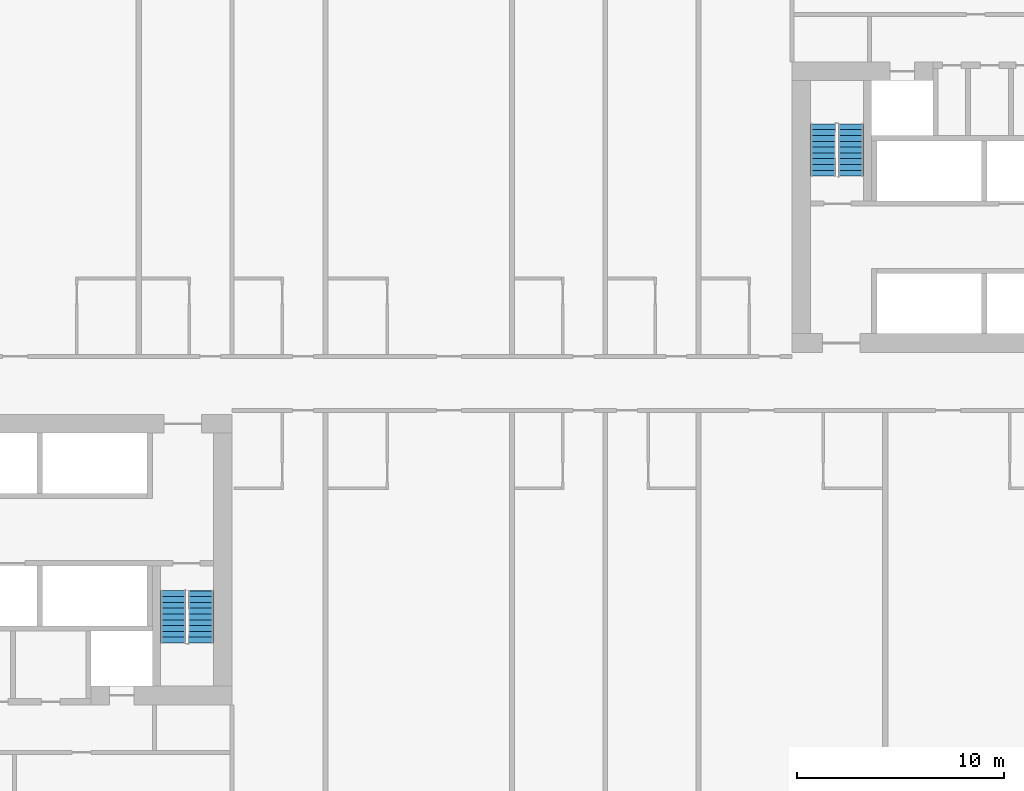
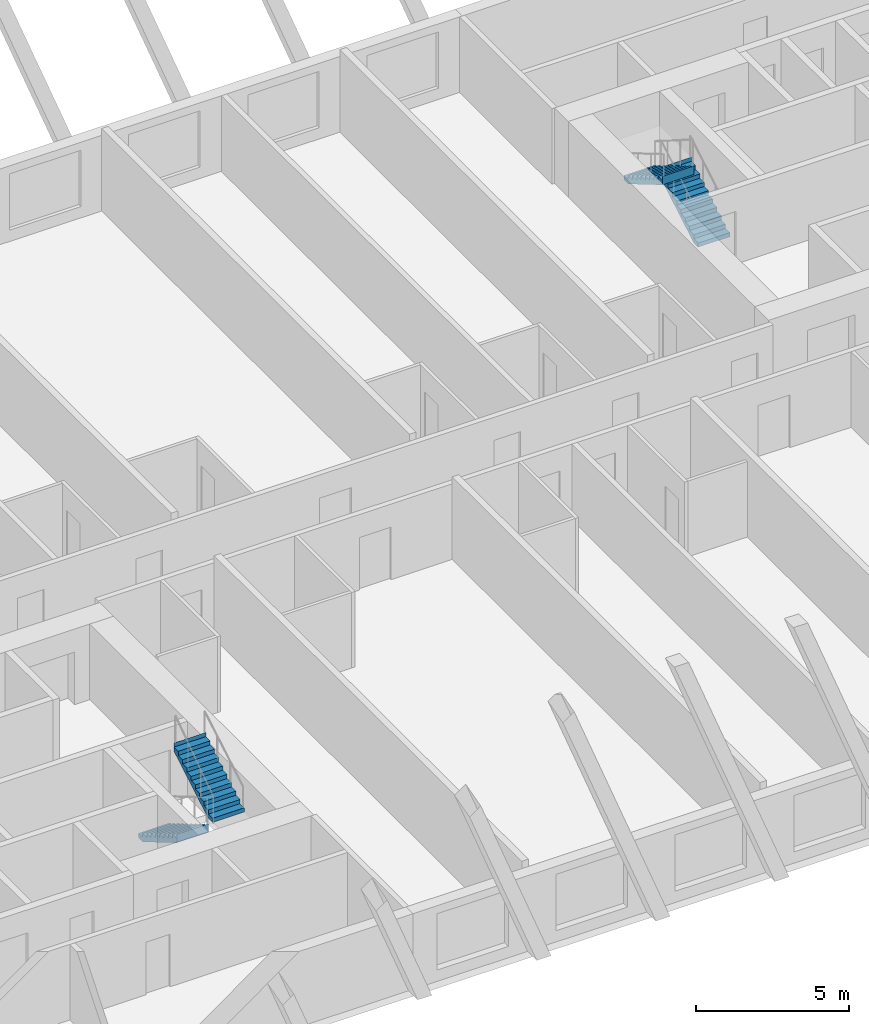
# One storey, part 10 of 13: 4 stair flights, 2 elements without a shape of their own.
"""IFC4 building model written with IfcOpenShell, lengths in metres."""

import ifcopenshell
import ifcopenshell.guid

model = None  # the IFC model being written
_history = None  # IfcOwnerHistory: only IFC2X3 demands one
_inside = {}  # id of a spatial element -> (the spatial element, [elements in it])
_under = {}  # id of a project, library or spatial element -> (it, [spatial elements below it])
_declared = {}  # id of a project -> (the project, [libraries it declares])
_typed = {}  # id of a type object -> (the type object, [elements of that type])
_made_of = {}  # id of a material, layer set ... -> (it, [elements and type objects made of it])


def new_model(schema):
    """Start an empty IFC model of exactly this schema.

    Asked for "IFC4X3", IfcOpenShell would pick the latest addendum, in which some entities
    have other attributes; the version numbers below select the first issue.
    IFC2X3 requires an IfcOwnerHistory on every rooted entity: one is made here for all.
    """
    global model, _history
    if schema == "IFC4X3":
        model = ifcopenshell.file(schema_version=(4, 3, 0, 0))
    else:
        model = ifcopenshell.file(schema=schema)
    _inside.clear()
    _under.clear()
    _declared.clear()
    _typed.clear()
    _made_of.clear()
    _history = None
    if model.schema == "IFC2X3":
        org = make("IfcOrganization", Name="unknown")
        user = make(
            "IfcPersonAndOrganization",
            ThePerson=make("IfcPerson", FamilyName="unknown"),
            TheOrganization=org,
        )
        app = make(
            "IfcApplication",
            ApplicationDeveloper=org,
            Version="unknown",
            ApplicationFullName="unknown",
            ApplicationIdentifier="unknown",
        )
        _history = make(
            "IfcOwnerHistory",
            OwningUser=user,
            OwningApplication=app,
            ChangeAction="ADDED",
            CreationDate=0,
        )
    return model


def make(cls, **values):
    """One entity of the class cls with the attributes given. An attribute that is None is left unset."""
    return model.create_entity(
        cls, **{name: value for name, value in values.items() if value is not None}
    )


def rooted(cls, **values):
    """An entity with a GlobalId (a new one), such as an element, a storey or a relation."""
    return make(cls, GlobalId=ifcopenshell.guid.new(), OwnerHistory=_history, **values)


def si_unit(unit_type, name, prefix=None):
    """IfcSIUnit, for example si_unit("LENGTHUNIT", "METRE", prefix="MILLI")."""
    return make("IfcSIUnit", UnitType=unit_type, Prefix=prefix, Name=name)


def assignment(units):
    """IfcUnitAssignment: the units of a project."""
    return None if units is None else make("IfcUnitAssignment", Units=units)


def point(xyz):
    """IfcCartesianPoint."""
    return None if xyz is None else make("IfcCartesianPoint", Coordinates=xyz)


def direction(xyz):
    """IfcDirection."""
    return None if xyz is None else make("IfcDirection", DirectionRatios=xyz)


def frame(location, z_axis=None, x_axis=None):
    """IfcAxis2Placement3D, a coordinate frame: its origin and axes. An axis left out is left unset."""
    return make(
        "IfcAxis2Placement3D",
        Location=point(location),
        Axis=direction(z_axis),
        RefDirection=direction(x_axis),
    )


def origin():
    """The frame at (0, 0, 0) with its axes left unset."""
    return frame((0.0, 0.0, 0.0))


def place(relative_to, where):
    """IfcLocalPlacement: puts the frame where relative to a parent placement (None: the world)."""
    return make(
        "IfcLocalPlacement", PlacementRelTo=relative_to, RelativePlacement=where
    )


def context(
    kind, dimensions, precision=None, world=None, true_north=None, identifier=None
):
    """IfcGeometricRepresentationContext, for example the 3D "Model" context."""
    return make(
        "IfcGeometricRepresentationContext",
        ContextIdentifier=identifier,
        ContextType=kind,
        CoordinateSpaceDimension=dimensions,
        Precision=precision,
        WorldCoordinateSystem=world,
        TrueNorth=true_north,
    )


def subcontext(parent, identifier, kind, view, scale=None):
    """IfcGeometricRepresentationSubContext, for example "Body" below "Model"."""
    return make(
        "IfcGeometricRepresentationSubContext",
        ContextIdentifier=identifier,
        ContextType=kind,
        ParentContext=parent,
        TargetScale=scale,
        TargetView=view,
    )


def project(units=None, contexts=None):
    """IfcProject with its units and contexts."""
    return rooted(
        "IfcProject",
        Name="project",
        RepresentationContexts=contexts,
        UnitsInContext=assignment(units),
    )


def spatial(cls, under=None, at=None, **own):
    """A site, building, storey or space (cls), placed at a placement, below another one or the project."""
    s = rooted(cls, ObjectPlacement=at, **own)
    if under is not None:
        _under.setdefault(under.id(), (under, []))[1].append(s)
    return s


def faces_of(points, faces, orient=None, outer=None):
    """IfcFace entities. A face is a list of loops; a loop is a list of indices into points, from 0.

    orient and outer hold one flag for each loop. By default every Orientation is true, the
    first loop of a face is its IfcFaceOuterBound and the others are IfcFaceBound.
    """
    made = []
    for i, loops in enumerate(faces):
        bounds = []
        for j, loop in enumerate(loops):
            is_outer = j == 0 if outer is None else outer[i][j]
            bounds.append(
                make(
                    "IfcFaceOuterBound" if is_outer else "IfcFaceBound",
                    Bound=make("IfcPolyLoop", Polygon=[points[k] for k in loop]),
                    Orientation=True if orient is None else orient[i][j],
                )
            )
        made.append(make("IfcFace", Bounds=bounds))
    return made


def faceted_brep(points, faces, orient=None, outer=None, voids=None):
    """IfcFacetedBrep: a solid bounded by flat faces; with voids (closed shells), ...WithVoids."""
    shared = [point(p) for p in points]
    hull = make("IfcClosedShell", CfsFaces=faces_of(shared, faces, orient, outer))
    if voids is None:
        return make("IfcFacetedBrep", Outer=hull)
    return make(
        "IfcFacetedBrepWithVoids",
        Outer=hull,
        Voids=[
            make(cls, CfsFaces=faces_of(shared, fs, o, b)) for cls, fs, o, b in voids
        ],
    )


def shape(context_of_items, identifier, shape_type, items):
    """IfcShapeRepresentation: the items that make up one representation, for example the "Body"."""
    return make(
        "IfcShapeRepresentation",
        ContextOfItems=context_of_items,
        RepresentationIdentifier=identifier,
        RepresentationType=shape_type,
        Items=items,
    )


def material(Name=None, Category=None):
    """IfcMaterial."""
    return make("IfcMaterial", Name=Name, Category=Category)


def made_of(thing, what):
    """Note that an element or type object is made of a material, layer set ...; save() writes the relation."""
    if what is not None:
        _made_of.setdefault(what.id(), (what, []))[1].append(thing)
    return thing


def type_object(cls, material=None, **own):
    """A type object (cls), such as IfcWallType, which elements share."""
    return made_of(rooted(cls, **own), material)


def element(
    cls,
    number,
    at=None,
    inside=None,
    cuts=None,
    type_object=None,
    material=None,
    context=None,
    identifier="Body",
    shape_type=None,
    held_by="IfcProductDefinitionShape",
    body=None,
    shapes=None,
    **own,
):
    """One element of the class cls, such as IfcWall. Its Tag is "e" and its number.

    at: its placement. inside: the storey or other place that contains it. cuts: it is an
    opening in that element (IfcRelVoidsElement). A single representation is given by context,
    identifier, shape_type and body (its items); several are given by shapes. held_by: the class
    of the entity that holds the representations. save() writes the other relations.
    """
    e = rooted(cls, Tag="e%d" % number, ObjectPlacement=at, **own)
    if body is not None:
        shapes = [shape(context, identifier, shape_type, body)]
    if shapes is not None:
        e.Representation = make(held_by, Representations=shapes)
    if inside is not None:
        _inside.setdefault(inside.id(), (inside, []))[1].append(e)
    if cuts is not None:
        rooted(
            "IfcRelVoidsElement", RelatingBuildingElement=cuts, RelatedOpeningElement=e
        )
    if type_object is not None:
        _typed.setdefault(type_object.id(), (type_object, []))[1].append(e)
    return made_of(e, material)


def aggregate(whole, parts):
    """IfcRelAggregates: a whole, such as a stair, and the parts it consists of."""
    return rooted("IfcRelAggregates", RelatingObject=whole, RelatedObjects=parts)


def save(model, path):
    """Write the relations noted so far, then the file.

    IfcRelAggregates (storeys below a building ...), IfcRelContainedInSpatialStructure (elements
    in a storey), IfcRelDefinesByType, IfcRelAssociatesMaterial and IfcRelDeclares: one each for
    every whole, place, type object, material and project.
    """
    for whole, parts in _under.values():
        aggregate(whole, parts)
    for where, things in _inside.values():
        rooted(
            "IfcRelContainedInSpatialStructure",
            RelatedElements=things,
            RelatingStructure=where,
        )
    for kind, things in _typed.values():
        rooted("IfcRelDefinesByType", RelatedObjects=things, RelatingType=kind)
    for what, things in _made_of.values():
        rooted("IfcRelAssociatesMaterial", RelatedObjects=things, RelatingMaterial=what)
    for by, libraries in _declared.values():
        rooted("IfcRelDeclares", RelatingContext=by, RelatedDefinitions=libraries)
    model.write(path)


model = new_model("IFC4")

# Units and contexts
model_context = context("Model", 3, precision=1e-05, world=origin(), true_north=direction((0.0, 1.0)))
body_context = subcontext(model_context, "Body", "Model", "MODEL_VIEW")
ifc_project = project(units=[si_unit("LENGTHUNIT", "METRE"), si_unit("AREAUNIT", "SQUARE_METRE"), si_unit("VOLUMEUNIT", "CUBIC_METRE"), si_unit("PLANEANGLEUNIT", "RADIAN"), si_unit("MASSUNIT", "GRAM", prefix="KILO")], contexts=[model_context])

# Site, building, storey
site_placement = place(None, origin())
site = spatial("IfcSite", under=ifc_project, at=site_placement, CompositionType="ELEMENT")
building_placement = place(site_placement, origin())
building = spatial("IfcBuilding", under=site, at=building_placement, Name="Kajstack Hotel Tower", CompositionType="ELEMENT")
storey_placement = place(building_placement, frame((0.0, 0.0, 60.0)))
storey = spatial("IfcBuildingStorey", under=building, at=storey_placement, Name="L09", CompositionType="ELEMENT", Elevation=60.0)

# Stair, stair flights
ifc_material = material(Name="Concrete C40/50", Category="concrete")
stair_type = type_object("IfcStairType", Name="Exit stair 1200", PredefinedType="HALF_TURN_STAIR", material=ifc_material)
stair_1_placement = place(storey_placement, origin())
stair_1 = element("IfcStair", 1, at=stair_1_placement, inside=storey, type_object=stair_type, Name="L09 stair W2", PredefinedType="HALF_TURN_STAIR")
stair_flight_type = type_object("IfcStairFlightType", Name="Exit stair flight 1200", PredefinedType="STRAIGHT", material=ifc_material)
stair_flight_1_placement = place(storey_placement, frame((-16.35009765625, -10.0, 0.0), z_axis=(0.0, 0.0, 1.0), x_axis=(0.0, -1.0, 0.0)))
stair_flight_1 = element("IfcStairFlight", 2, at=stair_flight_1_placement, type_object=stair_flight_type, Name="W2 flight 1", NumberOfRisers=10, NumberOfTreads=9, PredefinedType="STRAIGHT", RiserHeight=0.165, TreadLength=0.28, context=body_context, shape_type="Brep", body=[
    faceted_brep([(0.295654296875, -0.60009765625, 0.0), (2.5205078125, -0.60009765625, 1.31103515625), (2.5205078125, -0.60009765625, 1.64990234375), (2.52001953125, -0.60009765625, 1.64990234375), (2.52001953125, -0.60009765625, 1.485107421875), (2.239990234375, -0.60009765625, 1.485107421875), (2.239990234375, -0.60009765625, 1.320068359375), (1.9599609375, -0.60009765625, 1.320068359375), (1.9599609375, -0.60009765625, 1.155029296875), (1.679931640625, -0.60009765625, 1.155029296875), (1.679931640625, -0.60009765625, 0.989990234375), (1.39990234375, -0.60009765625, 0.989990234375), (1.39990234375, -0.60009765625, 0.824951171875), (1.1201171875, -0.60009765625, 0.824951171875), (1.1201171875, -0.60009765625, 0.659912109375), (0.840087890625, -0.60009765625, 0.659912109375), (0.840087890625, -0.60009765625, 0.4951171875), (0.56005859375, -0.60009765625, 0.4951171875), (0.56005859375, -0.60009765625, 0.330078125), (0.280029296875, -0.60009765625, 0.330078125), (0.280029296875, -0.60009765625, 0.1650390625), (-0.00048828125, -0.60009765625, 0.1650390625), (-0.00048828125, -0.60009765625, 0.0), (-0.00048828125, 0.60009765625, 0.0), (-0.00048828125, 0.60009765625, 0.1650390625), (0.280029296875, 0.60009765625, 0.1650390625), (0.280029296875, 0.60009765625, 0.330078125), (0.56005859375, 0.60009765625, 0.330078125), (0.56005859375, 0.60009765625, 0.4951171875), (0.840087890625, 0.60009765625, 0.4951171875), (0.840087890625, 0.60009765625, 0.659912109375), (1.1201171875, 0.60009765625, 0.659912109375), (1.1201171875, 0.60009765625, 0.824951171875), (1.39990234375, 0.60009765625, 0.824951171875), (1.39990234375, 0.60009765625, 0.989990234375), (1.679931640625, 0.60009765625, 0.989990234375), (1.679931640625, 0.60009765625, 1.155029296875), (1.9599609375, 0.60009765625, 1.155029296875), (1.9599609375, 0.60009765625, 1.320068359375), (2.239990234375, 0.60009765625, 1.320068359375), (2.239990234375, 0.60009765625, 1.485107421875), (2.52001953125, 0.60009765625, 1.485107421875), (2.52001953125, 0.60009765625, 1.64990234375), (2.5205078125, 0.60009765625, 1.64990234375), (2.5205078125, 0.60009765625, 1.31103515625), (0.295654296875, 0.60009765625, 0.0), (-0.00048828125, -0.300048828125, 0.1650390625), (-0.00048828125, 0.0, 0.1650390625), (-0.00048828125, 0.300048828125, 0.1650390625), (-0.00048828125, 0.300048828125, 0.0), (-0.00048828125, 0.0, 0.0), (-0.00048828125, -0.300048828125, 0.0), (0.280029296875, -0.300048828125, 0.1650390625), (0.280029296875, 0.0, 0.1650390625), (0.280029296875, 0.300048828125, 0.1650390625), (0.280029296875, -0.300048828125, 0.330078125), (0.280029296875, 0.0, 0.330078125), (0.280029296875, 0.300048828125, 0.330078125), (0.56005859375, -0.300048828125, 0.330078125), (0.56005859375, 0.0, 0.330078125), (0.56005859375, 0.300048828125, 0.330078125), (0.56005859375, -0.300048828125, 0.4951171875), (0.56005859375, 0.0, 0.4951171875), (0.56005859375, 0.300048828125, 0.4951171875), (0.840087890625, -0.300048828125, 0.4951171875), (0.840087890625, 0.0, 0.4951171875), (0.840087890625, 0.300048828125, 0.4951171875), (0.840087890625, -0.300048828125, 0.659912109375), (0.840087890625, 0.0, 0.659912109375), (0.840087890625, 0.300048828125, 0.659912109375), (1.1201171875, -0.300048828125, 0.659912109375), (1.1201171875, 0.0, 0.659912109375), (1.1201171875, 0.300048828125, 0.659912109375), (1.1201171875, -0.300048828125, 0.824951171875), (1.1201171875, 0.0, 0.824951171875), (1.1201171875, 0.300048828125, 0.824951171875), (1.39990234375, -0.300048828125, 0.824951171875), (1.39990234375, 0.0, 0.824951171875), (1.39990234375, 0.300048828125, 0.824951171875), (1.39990234375, -0.300048828125, 0.989990234375), (1.39990234375, 0.0, 0.989990234375), (1.39990234375, 0.300048828125, 0.989990234375), (1.679931640625, -0.300048828125, 0.989990234375), (1.679931640625, 0.0, 0.989990234375), (1.679931640625, 0.300048828125, 0.989990234375), (1.679931640625, -0.300048828125, 1.155029296875), (1.679931640625, 0.0, 1.155029296875), (1.679931640625, 0.300048828125, 1.155029296875), (1.9599609375, -0.300048828125, 1.155029296875), (1.9599609375, 0.0, 1.155029296875), (1.9599609375, 0.300048828125, 1.155029296875), (1.9599609375, -0.300048828125, 1.320068359375), (1.9599609375, 0.0, 1.320068359375), (1.9599609375, 0.300048828125, 1.320068359375), (2.239990234375, -0.300048828125, 1.320068359375), (2.239990234375, 0.0, 1.320068359375), (2.239990234375, 0.300048828125, 1.320068359375), (2.239990234375, -0.300048828125, 1.485107421875), (2.239990234375, 0.0, 1.485107421875), (2.239990234375, 0.300048828125, 1.485107421875), (2.52001953125, -0.300048828125, 1.485107421875), (2.52001953125, 0.0, 1.485107421875), (2.52001953125, 0.300048828125, 1.485107421875), (2.52001953125, -0.300048828125, 1.64990234375), (2.52001953125, 0.0, 1.64990234375), (2.52001953125, 0.300048828125, 1.64990234375), (2.5205078125, -0.300048828125, 1.64990234375), (2.5205078125, 0.0, 1.64990234375), (2.5205078125, 0.300048828125, 1.64990234375), (2.5205078125, -0.300048828125, 1.31103515625), (2.5205078125, 0.0, 1.31103515625), (2.5205078125, 0.300048828125, 1.31103515625), (0.295654296875, -0.300048828125, 0.0), (0.295654296875, 0.0, 0.0), (0.295654296875, 0.300048828125, 0.0)], [[[0, 1, 2, 3, 4, 5, 6, 7, 8, 9, 10, 11, 12, 13, 14, 15, 16, 17, 18, 19, 20, 21, 22]], [[23, 24, 25, 26, 27, 28, 29, 30, 31, 32, 33, 34, 35, 36, 37, 38, 39, 40, 41, 42, 43, 44, 45]], [[21, 46, 47, 48, 24, 23, 49, 50, 51, 22]], [[20, 52, 53, 54, 25, 24, 48, 47, 46, 21]], [[19, 55, 56, 57, 26, 25, 54, 53, 52, 20]], [[18, 58, 59, 60, 27, 26, 57, 56, 55, 19]], [[17, 61, 62, 63, 28, 27, 60, 59, 58, 18]], [[16, 64, 65, 66, 29, 28, 63, 62, 61, 17]], [[15, 67, 68, 69, 30, 29, 66, 65, 64, 16]], [[14, 70, 71, 72, 31, 30, 69, 68, 67, 15]], [[13, 73, 74, 75, 32, 31, 72, 71, 70, 14]], [[12, 76, 77, 78, 33, 32, 75, 74, 73, 13]], [[11, 79, 80, 81, 34, 33, 78, 77, 76, 12]], [[10, 82, 83, 84, 35, 34, 81, 80, 79, 11]], [[9, 85, 86, 87, 36, 35, 84, 83, 82, 10]], [[8, 88, 89, 90, 37, 36, 87, 86, 85, 9]], [[7, 91, 92, 93, 38, 37, 90, 89, 88, 8]], [[6, 94, 95, 96, 39, 38, 93, 92, 91, 7]], [[5, 97, 98, 99, 40, 39, 96, 95, 94, 6]], [[4, 100, 101, 102, 41, 40, 99, 98, 97, 5]], [[3, 103, 104, 105, 42, 41, 102, 101, 100, 4]], [[2, 106, 107, 108, 43, 42, 105, 104, 103, 3]], [[1, 109, 110, 111, 44, 43, 108, 107, 106, 2]], [[0, 112, 113, 114, 45, 44, 111, 110, 109, 1]], [[22, 51, 50, 49, 23, 45, 114, 113, 112, 0]]]),
])
stair_flight_2_placement = place(storey_placement, frame((-15.0, -12.52001953125, 1.64990234375), z_axis=(0.0, 0.0, 1.0), x_axis=(0.0, 1.0, 0.0)))
stair_flight_2 = element("IfcStairFlight", 3, at=stair_flight_2_placement, type_object=stair_flight_type, Name="W2 flight 2", NumberOfRisers=10, NumberOfTreads=9, PredefinedType="STRAIGHT", RiserHeight=0.165, TreadLength=0.28, context=body_context, shape_type="Brep", body=[
    faceted_brep([(0.295654296875, -0.60009765625, 0.0), (2.5205078125, -0.60009765625, 1.31103515625), (2.5205078125, -0.60009765625, 1.64990234375), (2.52001953125, -0.60009765625, 1.64990234375), (2.52001953125, -0.60009765625, 1.485107421875), (2.239990234375, -0.60009765625, 1.485107421875), (2.239990234375, -0.60009765625, 1.320068359375), (1.9599609375, -0.60009765625, 1.320068359375), (1.9599609375, -0.60009765625, 1.155029296875), (1.679931640625, -0.60009765625, 1.155029296875), (1.679931640625, -0.60009765625, 0.989990234375), (1.39990234375, -0.60009765625, 0.989990234375), (1.39990234375, -0.60009765625, 0.824951171875), (1.1201171875, -0.60009765625, 0.824951171875), (1.1201171875, -0.60009765625, 0.659912109375), (0.840087890625, -0.60009765625, 0.659912109375), (0.840087890625, -0.60009765625, 0.4951171875), (0.56005859375, -0.60009765625, 0.4951171875), (0.56005859375, -0.60009765625, 0.330078125), (0.280029296875, -0.60009765625, 0.330078125), (0.280029296875, -0.60009765625, 0.1650390625), (-0.00048828125, -0.60009765625, 0.1650390625), (-0.00048828125, -0.60009765625, 0.0), (-0.00048828125, 0.60009765625, 0.0), (-0.00048828125, 0.60009765625, 0.1650390625), (0.280029296875, 0.60009765625, 0.1650390625), (0.280029296875, 0.60009765625, 0.330078125), (0.56005859375, 0.60009765625, 0.330078125), (0.56005859375, 0.60009765625, 0.4951171875), (0.840087890625, 0.60009765625, 0.4951171875), (0.840087890625, 0.60009765625, 0.659912109375), (1.1201171875, 0.60009765625, 0.659912109375), (1.1201171875, 0.60009765625, 0.824951171875), (1.39990234375, 0.60009765625, 0.824951171875), (1.39990234375, 0.60009765625, 0.989990234375), (1.679931640625, 0.60009765625, 0.989990234375), (1.679931640625, 0.60009765625, 1.155029296875), (1.9599609375, 0.60009765625, 1.155029296875), (1.9599609375, 0.60009765625, 1.320068359375), (2.239990234375, 0.60009765625, 1.320068359375), (2.239990234375, 0.60009765625, 1.485107421875), (2.52001953125, 0.60009765625, 1.485107421875), (2.52001953125, 0.60009765625, 1.64990234375), (2.5205078125, 0.60009765625, 1.64990234375), (2.5205078125, 0.60009765625, 1.31103515625), (0.295654296875, 0.60009765625, 0.0), (-0.00048828125, -0.300048828125, 0.1650390625), (-0.00048828125, 0.0, 0.1650390625), (-0.00048828125, 0.300048828125, 0.1650390625), (-0.00048828125, 0.300048828125, 0.0), (-0.00048828125, 0.0, 0.0), (-0.00048828125, -0.300048828125, 0.0), (0.280029296875, -0.300048828125, 0.1650390625), (0.280029296875, 0.0, 0.1650390625), (0.280029296875, 0.300048828125, 0.1650390625), (0.280029296875, -0.300048828125, 0.330078125), (0.280029296875, 0.0, 0.330078125), (0.280029296875, 0.300048828125, 0.330078125), (0.56005859375, -0.300048828125, 0.330078125), (0.56005859375, 0.0, 0.330078125), (0.56005859375, 0.300048828125, 0.330078125), (0.56005859375, -0.300048828125, 0.4951171875), (0.56005859375, 0.0, 0.4951171875), (0.56005859375, 0.300048828125, 0.4951171875), (0.840087890625, -0.300048828125, 0.4951171875), (0.840087890625, 0.0, 0.4951171875), (0.840087890625, 0.300048828125, 0.4951171875), (0.840087890625, -0.300048828125, 0.659912109375), (0.840087890625, 0.0, 0.659912109375), (0.840087890625, 0.300048828125, 0.659912109375), (1.1201171875, -0.300048828125, 0.659912109375), (1.1201171875, 0.0, 0.659912109375), (1.1201171875, 0.300048828125, 0.659912109375), (1.1201171875, -0.300048828125, 0.824951171875), (1.1201171875, 0.0, 0.824951171875), (1.1201171875, 0.300048828125, 0.824951171875), (1.39990234375, -0.300048828125, 0.824951171875), (1.39990234375, 0.0, 0.824951171875), (1.39990234375, 0.300048828125, 0.824951171875), (1.39990234375, -0.300048828125, 0.989990234375), (1.39990234375, 0.0, 0.989990234375), (1.39990234375, 0.300048828125, 0.989990234375), (1.679931640625, -0.300048828125, 0.989990234375), (1.679931640625, 0.0, 0.989990234375), (1.679931640625, 0.300048828125, 0.989990234375), (1.679931640625, -0.300048828125, 1.155029296875), (1.679931640625, 0.0, 1.155029296875), (1.679931640625, 0.300048828125, 1.155029296875), (1.9599609375, -0.300048828125, 1.155029296875), (1.9599609375, 0.0, 1.155029296875), (1.9599609375, 0.300048828125, 1.155029296875), (1.9599609375, -0.300048828125, 1.320068359375), (1.9599609375, 0.0, 1.320068359375), (1.9599609375, 0.300048828125, 1.320068359375), (2.239990234375, -0.300048828125, 1.320068359375), (2.239990234375, 0.0, 1.320068359375), (2.239990234375, 0.300048828125, 1.320068359375), (2.239990234375, -0.300048828125, 1.485107421875), (2.239990234375, 0.0, 1.485107421875), (2.239990234375, 0.300048828125, 1.485107421875), (2.52001953125, -0.300048828125, 1.485107421875), (2.52001953125, 0.0, 1.485107421875), (2.52001953125, 0.300048828125, 1.485107421875), (2.52001953125, -0.300048828125, 1.64990234375), (2.52001953125, 0.0, 1.64990234375), (2.52001953125, 0.300048828125, 1.64990234375), (2.5205078125, -0.300048828125, 1.64990234375), (2.5205078125, 0.0, 1.64990234375), (2.5205078125, 0.300048828125, 1.64990234375), (2.5205078125, -0.300048828125, 1.31103515625), (2.5205078125, 0.0, 1.31103515625), (2.5205078125, 0.300048828125, 1.31103515625), (0.295654296875, -0.300048828125, 0.0), (0.295654296875, 0.0, 0.0), (0.295654296875, 0.300048828125, 0.0)], [[[0, 1, 2, 3, 4, 5, 6, 7, 8, 9, 10, 11, 12, 13, 14, 15, 16, 17, 18, 19, 20, 21, 22]], [[23, 24, 25, 26, 27, 28, 29, 30, 31, 32, 33, 34, 35, 36, 37, 38, 39, 40, 41, 42, 43, 44, 45]], [[21, 46, 47, 48, 24, 23, 49, 50, 51, 22]], [[20, 52, 53, 54, 25, 24, 48, 47, 46, 21]], [[19, 55, 56, 57, 26, 25, 54, 53, 52, 20]], [[18, 58, 59, 60, 27, 26, 57, 56, 55, 19]], [[17, 61, 62, 63, 28, 27, 60, 59, 58, 18]], [[16, 64, 65, 66, 29, 28, 63, 62, 61, 17]], [[15, 67, 68, 69, 30, 29, 66, 65, 64, 16]], [[14, 70, 71, 72, 31, 30, 69, 68, 67, 15]], [[13, 73, 74, 75, 32, 31, 72, 71, 70, 14]], [[12, 76, 77, 78, 33, 32, 75, 74, 73, 13]], [[11, 79, 80, 81, 34, 33, 78, 77, 76, 12]], [[10, 82, 83, 84, 35, 34, 81, 80, 79, 11]], [[9, 85, 86, 87, 36, 35, 84, 83, 82, 10]], [[8, 88, 89, 90, 37, 36, 87, 86, 85, 9]], [[7, 91, 92, 93, 38, 37, 90, 89, 88, 8]], [[6, 94, 95, 96, 39, 38, 93, 92, 91, 7]], [[5, 97, 98, 99, 40, 39, 96, 95, 94, 6]], [[4, 100, 101, 102, 41, 40, 99, 98, 97, 5]], [[3, 103, 104, 105, 42, 41, 102, 101, 100, 4]], [[2, 106, 107, 108, 43, 42, 105, 104, 103, 3]], [[1, 109, 110, 111, 44, 43, 108, 107, 106, 2]], [[0, 112, 113, 114, 45, 44, 111, 110, 109, 1]], [[22, 51, 50, 49, 23, 45, 114, 113, 112, 0]]]),
])
aggregate(stair_1, [stair_flight_1, stair_flight_2])

stair_2_placement = place(storey_placement, origin())
stair_2 = element("IfcStair", 4, at=stair_2_placement, inside=storey, type_object=stair_type, Name="L09 stair E2", PredefinedType="HALF_TURN_STAIR")
stair_flight_3_placement = place(storey_placement, frame((16.35009765625, 10.0, 0.0), z_axis=(0.0, 0.0, 1.0), x_axis=(0.0, 1.0, 0.0)))
stair_flight_3 = element("IfcStairFlight", 5, at=stair_flight_3_placement, type_object=stair_flight_type, Name="E2 flight 1", NumberOfRisers=10, NumberOfTreads=9, PredefinedType="STRAIGHT", RiserHeight=0.165, TreadLength=0.28, context=body_context, shape_type="Brep", body=[
    faceted_brep([(0.295654296875, -0.60009765625, 0.0), (2.5205078125, -0.60009765625, 1.31103515625), (2.5205078125, -0.60009765625, 1.64990234375), (2.52001953125, -0.60009765625, 1.64990234375), (2.52001953125, -0.60009765625, 1.485107421875), (2.239990234375, -0.60009765625, 1.485107421875), (2.239990234375, -0.60009765625, 1.320068359375), (1.9599609375, -0.60009765625, 1.320068359375), (1.9599609375, -0.60009765625, 1.155029296875), (1.679931640625, -0.60009765625, 1.155029296875), (1.679931640625, -0.60009765625, 0.989990234375), (1.39990234375, -0.60009765625, 0.989990234375), (1.39990234375, -0.60009765625, 0.824951171875), (1.1201171875, -0.60009765625, 0.824951171875), (1.1201171875, -0.60009765625, 0.659912109375), (0.840087890625, -0.60009765625, 0.659912109375), (0.840087890625, -0.60009765625, 0.4951171875), (0.56005859375, -0.60009765625, 0.4951171875), (0.56005859375, -0.60009765625, 0.330078125), (0.280029296875, -0.60009765625, 0.330078125), (0.280029296875, -0.60009765625, 0.1650390625), (-0.00048828125, -0.60009765625, 0.1650390625), (-0.00048828125, -0.60009765625, 0.0), (-0.00048828125, 0.60009765625, 0.0), (-0.00048828125, 0.60009765625, 0.1650390625), (0.280029296875, 0.60009765625, 0.1650390625), (0.280029296875, 0.60009765625, 0.330078125), (0.56005859375, 0.60009765625, 0.330078125), (0.56005859375, 0.60009765625, 0.4951171875), (0.840087890625, 0.60009765625, 0.4951171875), (0.840087890625, 0.60009765625, 0.659912109375), (1.1201171875, 0.60009765625, 0.659912109375), (1.1201171875, 0.60009765625, 0.824951171875), (1.39990234375, 0.60009765625, 0.824951171875), (1.39990234375, 0.60009765625, 0.989990234375), (1.679931640625, 0.60009765625, 0.989990234375), (1.679931640625, 0.60009765625, 1.155029296875), (1.9599609375, 0.60009765625, 1.155029296875), (1.9599609375, 0.60009765625, 1.320068359375), (2.239990234375, 0.60009765625, 1.320068359375), (2.239990234375, 0.60009765625, 1.485107421875), (2.52001953125, 0.60009765625, 1.485107421875), (2.52001953125, 0.60009765625, 1.64990234375), (2.5205078125, 0.60009765625, 1.64990234375), (2.5205078125, 0.60009765625, 1.31103515625), (0.295654296875, 0.60009765625, 0.0), (-0.00048828125, -0.300048828125, 0.1650390625), (-0.00048828125, 0.0, 0.1650390625), (-0.00048828125, 0.300048828125, 0.1650390625), (-0.00048828125, 0.300048828125, 0.0), (-0.00048828125, 0.0, 0.0), (-0.00048828125, -0.300048828125, 0.0), (0.280029296875, -0.300048828125, 0.1650390625), (0.280029296875, 0.0, 0.1650390625), (0.280029296875, 0.300048828125, 0.1650390625), (0.280029296875, -0.300048828125, 0.330078125), (0.280029296875, 0.0, 0.330078125), (0.280029296875, 0.300048828125, 0.330078125), (0.56005859375, -0.300048828125, 0.330078125), (0.56005859375, 0.0, 0.330078125), (0.56005859375, 0.300048828125, 0.330078125), (0.56005859375, -0.300048828125, 0.4951171875), (0.56005859375, 0.0, 0.4951171875), (0.56005859375, 0.300048828125, 0.4951171875), (0.840087890625, -0.300048828125, 0.4951171875), (0.840087890625, 0.0, 0.4951171875), (0.840087890625, 0.300048828125, 0.4951171875), (0.840087890625, -0.300048828125, 0.659912109375), (0.840087890625, 0.0, 0.659912109375), (0.840087890625, 0.300048828125, 0.659912109375), (1.1201171875, -0.300048828125, 0.659912109375), (1.1201171875, 0.0, 0.659912109375), (1.1201171875, 0.300048828125, 0.659912109375), (1.1201171875, -0.300048828125, 0.824951171875), (1.1201171875, 0.0, 0.824951171875), (1.1201171875, 0.300048828125, 0.824951171875), (1.39990234375, -0.300048828125, 0.824951171875), (1.39990234375, 0.0, 0.824951171875), (1.39990234375, 0.300048828125, 0.824951171875), (1.39990234375, -0.300048828125, 0.989990234375), (1.39990234375, 0.0, 0.989990234375), (1.39990234375, 0.300048828125, 0.989990234375), (1.679931640625, -0.300048828125, 0.989990234375), (1.679931640625, 0.0, 0.989990234375), (1.679931640625, 0.300048828125, 0.989990234375), (1.679931640625, -0.300048828125, 1.155029296875), (1.679931640625, 0.0, 1.155029296875), (1.679931640625, 0.300048828125, 1.155029296875), (1.9599609375, -0.300048828125, 1.155029296875), (1.9599609375, 0.0, 1.155029296875), (1.9599609375, 0.300048828125, 1.155029296875), (1.9599609375, -0.300048828125, 1.320068359375), (1.9599609375, 0.0, 1.320068359375), (1.9599609375, 0.300048828125, 1.320068359375), (2.239990234375, -0.300048828125, 1.320068359375), (2.239990234375, 0.0, 1.320068359375), (2.239990234375, 0.300048828125, 1.320068359375), (2.239990234375, -0.300048828125, 1.485107421875), (2.239990234375, 0.0, 1.485107421875), (2.239990234375, 0.300048828125, 1.485107421875), (2.52001953125, -0.300048828125, 1.485107421875), (2.52001953125, 0.0, 1.485107421875), (2.52001953125, 0.300048828125, 1.485107421875), (2.52001953125, -0.300048828125, 1.64990234375), (2.52001953125, 0.0, 1.64990234375), (2.52001953125, 0.300048828125, 1.64990234375), (2.5205078125, -0.300048828125, 1.64990234375), (2.5205078125, 0.0, 1.64990234375), (2.5205078125, 0.300048828125, 1.64990234375), (2.5205078125, -0.300048828125, 1.31103515625), (2.5205078125, 0.0, 1.31103515625), (2.5205078125, 0.300048828125, 1.31103515625), (0.295654296875, -0.300048828125, 0.0), (0.295654296875, 0.0, 0.0), (0.295654296875, 0.300048828125, 0.0)], [[[0, 1, 2, 3, 4, 5, 6, 7, 8, 9, 10, 11, 12, 13, 14, 15, 16, 17, 18, 19, 20, 21, 22]], [[23, 24, 25, 26, 27, 28, 29, 30, 31, 32, 33, 34, 35, 36, 37, 38, 39, 40, 41, 42, 43, 44, 45]], [[21, 46, 47, 48, 24, 23, 49, 50, 51, 22]], [[20, 52, 53, 54, 25, 24, 48, 47, 46, 21]], [[19, 55, 56, 57, 26, 25, 54, 53, 52, 20]], [[18, 58, 59, 60, 27, 26, 57, 56, 55, 19]], [[17, 61, 62, 63, 28, 27, 60, 59, 58, 18]], [[16, 64, 65, 66, 29, 28, 63, 62, 61, 17]], [[15, 67, 68, 69, 30, 29, 66, 65, 64, 16]], [[14, 70, 71, 72, 31, 30, 69, 68, 67, 15]], [[13, 73, 74, 75, 32, 31, 72, 71, 70, 14]], [[12, 76, 77, 78, 33, 32, 75, 74, 73, 13]], [[11, 79, 80, 81, 34, 33, 78, 77, 76, 12]], [[10, 82, 83, 84, 35, 34, 81, 80, 79, 11]], [[9, 85, 86, 87, 36, 35, 84, 83, 82, 10]], [[8, 88, 89, 90, 37, 36, 87, 86, 85, 9]], [[7, 91, 92, 93, 38, 37, 90, 89, 88, 8]], [[6, 94, 95, 96, 39, 38, 93, 92, 91, 7]], [[5, 97, 98, 99, 40, 39, 96, 95, 94, 6]], [[4, 100, 101, 102, 41, 40, 99, 98, 97, 5]], [[3, 103, 104, 105, 42, 41, 102, 101, 100, 4]], [[2, 106, 107, 108, 43, 42, 105, 104, 103, 3]], [[1, 109, 110, 111, 44, 43, 108, 107, 106, 2]], [[0, 112, 113, 114, 45, 44, 111, 110, 109, 1]], [[22, 51, 50, 49, 23, 45, 114, 113, 112, 0]]]),
])
stair_flight_4_placement = place(storey_placement, frame((15.0, 12.52001953125, 1.64990234375), z_axis=(0.0, 0.0, 1.0), x_axis=(0.0, -1.0, 0.0)))
stair_flight_4 = element("IfcStairFlight", 6, at=stair_flight_4_placement, type_object=stair_flight_type, Name="E2 flight 2", NumberOfRisers=10, NumberOfTreads=9, PredefinedType="STRAIGHT", RiserHeight=0.165, TreadLength=0.28, context=body_context, shape_type="Brep", body=[
    faceted_brep([(0.295654296875, -0.60009765625, 0.0), (2.5205078125, -0.60009765625, 1.31103515625), (2.5205078125, -0.60009765625, 1.64990234375), (2.52001953125, -0.60009765625, 1.64990234375), (2.52001953125, -0.60009765625, 1.485107421875), (2.239990234375, -0.60009765625, 1.485107421875), (2.239990234375, -0.60009765625, 1.320068359375), (1.9599609375, -0.60009765625, 1.320068359375), (1.9599609375, -0.60009765625, 1.155029296875), (1.679931640625, -0.60009765625, 1.155029296875), (1.679931640625, -0.60009765625, 0.989990234375), (1.39990234375, -0.60009765625, 0.989990234375), (1.39990234375, -0.60009765625, 0.824951171875), (1.1201171875, -0.60009765625, 0.824951171875), (1.1201171875, -0.60009765625, 0.659912109375), (0.840087890625, -0.60009765625, 0.659912109375), (0.840087890625, -0.60009765625, 0.4951171875), (0.56005859375, -0.60009765625, 0.4951171875), (0.56005859375, -0.60009765625, 0.330078125), (0.280029296875, -0.60009765625, 0.330078125), (0.280029296875, -0.60009765625, 0.1650390625), (-0.00048828125, -0.60009765625, 0.1650390625), (-0.00048828125, -0.60009765625, 0.0), (-0.00048828125, 0.60009765625, 0.0), (-0.00048828125, 0.60009765625, 0.1650390625), (0.280029296875, 0.60009765625, 0.1650390625), (0.280029296875, 0.60009765625, 0.330078125), (0.56005859375, 0.60009765625, 0.330078125), (0.56005859375, 0.60009765625, 0.4951171875), (0.840087890625, 0.60009765625, 0.4951171875), (0.840087890625, 0.60009765625, 0.659912109375), (1.1201171875, 0.60009765625, 0.659912109375), (1.1201171875, 0.60009765625, 0.824951171875), (1.39990234375, 0.60009765625, 0.824951171875), (1.39990234375, 0.60009765625, 0.989990234375), (1.679931640625, 0.60009765625, 0.989990234375), (1.679931640625, 0.60009765625, 1.155029296875), (1.9599609375, 0.60009765625, 1.155029296875), (1.9599609375, 0.60009765625, 1.320068359375), (2.239990234375, 0.60009765625, 1.320068359375), (2.239990234375, 0.60009765625, 1.485107421875), (2.52001953125, 0.60009765625, 1.485107421875), (2.52001953125, 0.60009765625, 1.64990234375), (2.5205078125, 0.60009765625, 1.64990234375), (2.5205078125, 0.60009765625, 1.31103515625), (0.295654296875, 0.60009765625, 0.0), (-0.00048828125, -0.300048828125, 0.1650390625), (-0.00048828125, 0.0, 0.1650390625), (-0.00048828125, 0.300048828125, 0.1650390625), (-0.00048828125, 0.300048828125, 0.0), (-0.00048828125, 0.0, 0.0), (-0.00048828125, -0.300048828125, 0.0), (0.280029296875, -0.300048828125, 0.1650390625), (0.280029296875, 0.0, 0.1650390625), (0.280029296875, 0.300048828125, 0.1650390625), (0.280029296875, -0.300048828125, 0.330078125), (0.280029296875, 0.0, 0.330078125), (0.280029296875, 0.300048828125, 0.330078125), (0.56005859375, -0.300048828125, 0.330078125), (0.56005859375, 0.0, 0.330078125), (0.56005859375, 0.300048828125, 0.330078125), (0.56005859375, -0.300048828125, 0.4951171875), (0.56005859375, 0.0, 0.4951171875), (0.56005859375, 0.300048828125, 0.4951171875), (0.840087890625, -0.300048828125, 0.4951171875), (0.840087890625, 0.0, 0.4951171875), (0.840087890625, 0.300048828125, 0.4951171875), (0.840087890625, -0.300048828125, 0.659912109375), (0.840087890625, 0.0, 0.659912109375), (0.840087890625, 0.300048828125, 0.659912109375), (1.1201171875, -0.300048828125, 0.659912109375), (1.1201171875, 0.0, 0.659912109375), (1.1201171875, 0.300048828125, 0.659912109375), (1.1201171875, -0.300048828125, 0.824951171875), (1.1201171875, 0.0, 0.824951171875), (1.1201171875, 0.300048828125, 0.824951171875), (1.39990234375, -0.300048828125, 0.824951171875), (1.39990234375, 0.0, 0.824951171875), (1.39990234375, 0.300048828125, 0.824951171875), (1.39990234375, -0.300048828125, 0.989990234375), (1.39990234375, 0.0, 0.989990234375), (1.39990234375, 0.300048828125, 0.989990234375), (1.679931640625, -0.300048828125, 0.989990234375), (1.679931640625, 0.0, 0.989990234375), (1.679931640625, 0.300048828125, 0.989990234375), (1.679931640625, -0.300048828125, 1.155029296875), (1.679931640625, 0.0, 1.155029296875), (1.679931640625, 0.300048828125, 1.155029296875), (1.9599609375, -0.300048828125, 1.155029296875), (1.9599609375, 0.0, 1.155029296875), (1.9599609375, 0.300048828125, 1.155029296875), (1.9599609375, -0.300048828125, 1.320068359375), (1.9599609375, 0.0, 1.320068359375), (1.9599609375, 0.300048828125, 1.320068359375), (2.239990234375, -0.300048828125, 1.320068359375), (2.239990234375, 0.0, 1.320068359375), (2.239990234375, 0.300048828125, 1.320068359375), (2.239990234375, -0.300048828125, 1.485107421875), (2.239990234375, 0.0, 1.485107421875), (2.239990234375, 0.300048828125, 1.485107421875), (2.52001953125, -0.300048828125, 1.485107421875), (2.52001953125, 0.0, 1.485107421875), (2.52001953125, 0.300048828125, 1.485107421875), (2.52001953125, -0.300048828125, 1.64990234375), (2.52001953125, 0.0, 1.64990234375), (2.52001953125, 0.300048828125, 1.64990234375), (2.5205078125, -0.300048828125, 1.64990234375), (2.5205078125, 0.0, 1.64990234375), (2.5205078125, 0.300048828125, 1.64990234375), (2.5205078125, -0.300048828125, 1.31103515625), (2.5205078125, 0.0, 1.31103515625), (2.5205078125, 0.300048828125, 1.31103515625), (0.295654296875, -0.300048828125, 0.0), (0.295654296875, 0.0, 0.0), (0.295654296875, 0.300048828125, 0.0)], [[[0, 1, 2, 3, 4, 5, 6, 7, 8, 9, 10, 11, 12, 13, 14, 15, 16, 17, 18, 19, 20, 21, 22]], [[23, 24, 25, 26, 27, 28, 29, 30, 31, 32, 33, 34, 35, 36, 37, 38, 39, 40, 41, 42, 43, 44, 45]], [[21, 46, 47, 48, 24, 23, 49, 50, 51, 22]], [[20, 52, 53, 54, 25, 24, 48, 47, 46, 21]], [[19, 55, 56, 57, 26, 25, 54, 53, 52, 20]], [[18, 58, 59, 60, 27, 26, 57, 56, 55, 19]], [[17, 61, 62, 63, 28, 27, 60, 59, 58, 18]], [[16, 64, 65, 66, 29, 28, 63, 62, 61, 17]], [[15, 67, 68, 69, 30, 29, 66, 65, 64, 16]], [[14, 70, 71, 72, 31, 30, 69, 68, 67, 15]], [[13, 73, 74, 75, 32, 31, 72, 71, 70, 14]], [[12, 76, 77, 78, 33, 32, 75, 74, 73, 13]], [[11, 79, 80, 81, 34, 33, 78, 77, 76, 12]], [[10, 82, 83, 84, 35, 34, 81, 80, 79, 11]], [[9, 85, 86, 87, 36, 35, 84, 83, 82, 10]], [[8, 88, 89, 90, 37, 36, 87, 86, 85, 9]], [[7, 91, 92, 93, 38, 37, 90, 89, 88, 8]], [[6, 94, 95, 96, 39, 38, 93, 92, 91, 7]], [[5, 97, 98, 99, 40, 39, 96, 95, 94, 6]], [[4, 100, 101, 102, 41, 40, 99, 98, 97, 5]], [[3, 103, 104, 105, 42, 41, 102, 101, 100, 4]], [[2, 106, 107, 108, 43, 42, 105, 104, 103, 3]], [[1, 109, 110, 111, 44, 43, 108, 107, 106, 2]], [[0, 112, 113, 114, 45, 44, 111, 110, 109, 1]], [[22, 51, 50, 49, 23, 45, 114, 113, 112, 0]]]),
])
aggregate(stair_2, [stair_flight_3, stair_flight_4])

save(model, "model.ifc")
